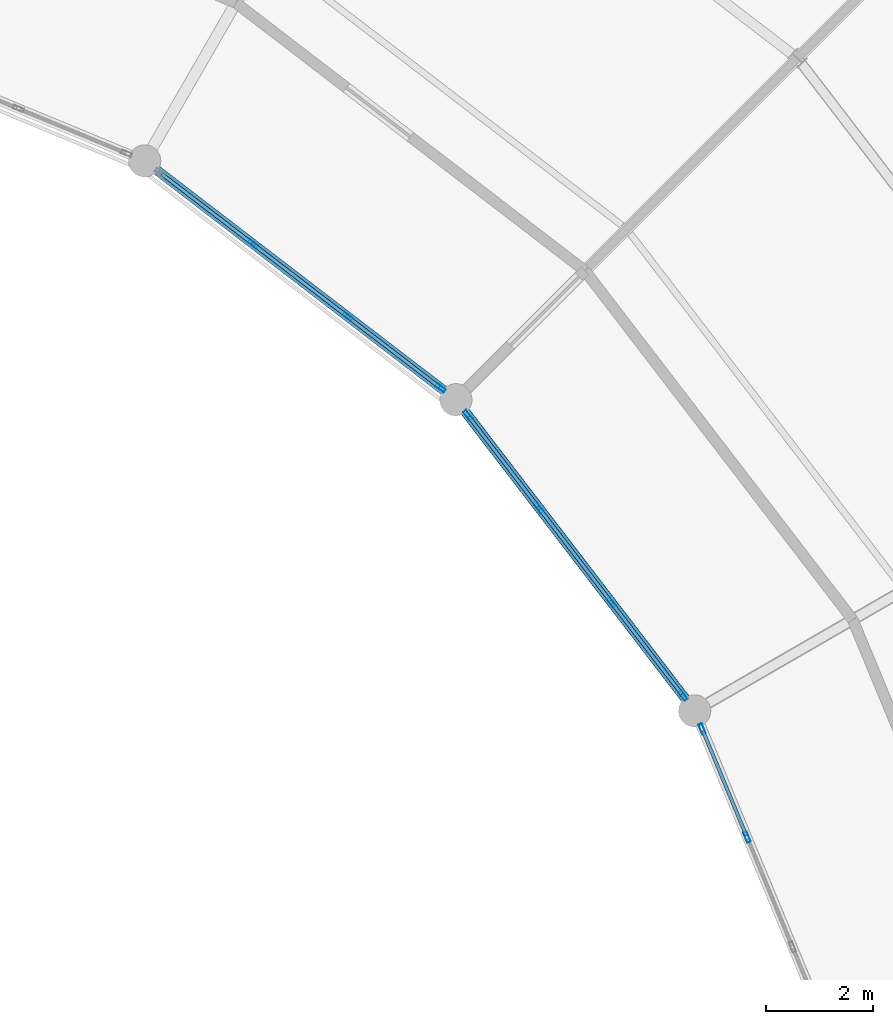
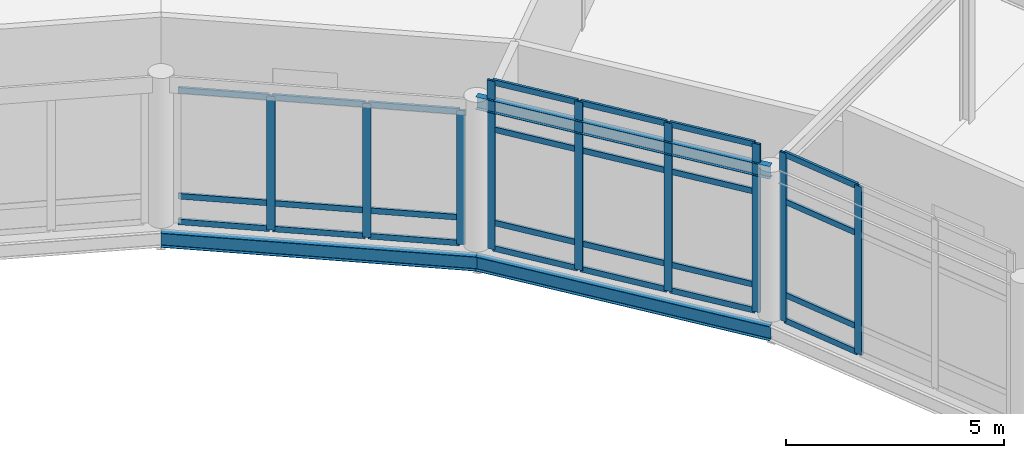
# One storey, part 79 of 185: 34 members, 3 beams, 3 elements without a shape of their own.
"""IFC4 building model written with IfcOpenShell, lengths in metres."""

from ifc_helpers import new_model, si_unit, direction, frame, origin, origin_2d, place, context, subcontext, project, spatial, hollow_rectangle, i_section, extrude, material, material_profile, profile_set, type_object, element, aggregate, save


model = new_model("IFC4")

# Units and contexts
model_context = context("Model", 3, precision=1e-05, world=origin(), true_north=direction((0.0, 1.0)))
body_context = subcontext(model_context, "Body", "Model", "MODEL_VIEW")
ifc_project = project(units=[si_unit("LENGTHUNIT", "METRE"), si_unit("AREAUNIT", "SQUARE_METRE"), si_unit("VOLUMEUNIT", "CUBIC_METRE"), si_unit("PLANEANGLEUNIT", "RADIAN"), si_unit("MASSUNIT", "GRAM", prefix="KILO")], contexts=[model_context])

# Site, building, storey
site_placement = place(None, origin())
site = spatial("IfcSite", under=ifc_project, at=site_placement, CompositionType="ELEMENT")
building_placement = place(site_placement, origin())
building = spatial("IfcBuilding", under=site, at=building_placement, Name="Vondelvale Polytechnic", CompositionType="ELEMENT")
storey_placement = place(building_placement, frame((0.0, 0.0, 9.60009765625)))
storey = spatial("IfcBuildingStorey", under=building, at=storey_placement, Name="L02", CompositionType="ELEMENT", Elevation=9.60009765625)

# Beams
ifc_material_1 = material(Name="Steel 300PLUS (fy = 300 MPa)", Category="steel")
ifc_material_profile_1 = material_profile(ifc_material_1, i_section(OverallWidth=0.1708984375, OverallDepth=0.35205078125, WebThickness=0.0068359375, FlangeThickness=0.009765625, FilletRadius=0.011474609375, at=origin_2d()), Name="360UB44.7")
ifc_profile_set_1 = profile_set([ifc_material_profile_1], Name="Steel 300PLUS (fy = 300 MPa)")
beam_type_1 = type_object("IfcBeamType", Name="BM-UB360L", PredefinedType="BEAM", material=ifc_profile_set_1)
beam_placement = place(storey_placement, frame((126.248779296875, 86.0, 4.02392578125), z_axis=(-0.608754744979, 0.793358469083, 0.0), x_axis=(-0.793358469083, -0.608754744979, 0.0)))
element("IfcBeam", 1, at=beam_placement, inside=storey, type_object=beam_type_1, Name="L02 RE B-24", PredefinedType="BEAM", context=body_context, shape_type="SweptSolid", body=[
    extrude(i_section(OverallWidth=0.1708984375, OverallDepth=0.35205078125, WebThickness=0.0068359375, FlangeThickness=0.009765625, FilletRadius=0.011474609375, at=origin_2d()), origin(), (0.0, 0.0, 1.0), 7.3095703125),
])
ifc_material_profile_2 = material_profile(ifc_material_1, i_section(OverallWidth=0.177978515625, OverallDepth=0.403076171875, WebThickness=0.007568359375, FlangeThickness=0.010986328125, FilletRadius=0.011474609375, at=origin_2d()), Name="410UB53.7")
ifc_profile_set_2 = profile_set([ifc_material_profile_2], Name="Steel 300PLUS (fy = 300 MPa)")
beam_type_2 = type_object("IfcBeamType", Name="BM-UB410L", PredefinedType="BEAM", material=ifc_profile_set_2)
for number, where, z_axis, x_axis, name in (
    (2, (126.248779296875, 86.0, -0.481689453125), (-0.608754744979, 0.793358469083, 0.0), (-0.793358469083, -0.608754744979, 0.0), "L02 RB B-23"),
    (3, (121.799072265625, 91.799072265625, -0.481689453125), (-0.793358469083, 0.608754744979, 0.0), (-0.608754744979, -0.793358469083, 0.0), "L02 RB B-23"),
):
    element("IfcBeam", number, at=place(storey_placement, frame(where, z_axis=z_axis, x_axis=x_axis)), inside=storey, type_object=beam_type_2, Name=name, PredefinedType="BEAM", context=body_context, shape_type="SweptSolid", body=[
        extrude(i_section(OverallWidth=0.177978515625, OverallDepth=0.403076171875, WebThickness=0.007568359375, FlangeThickness=0.010986328125, FilletRadius=0.011474609375, at=origin_2d()), origin(), (0.0, 0.0, 1.0), 7.3095703125),
    ])

# Curtain wall, members
ifc_material_2 = material(Name="Anodised extruded aluminium 6063-T6", Category="aluminium")
curtain_wall_type = type_object("IfcCurtainWallType", Name="CW-RING-CLOISTER", PredefinedType="NOTDEFINED", material=ifc_material_2)
curtain_wall_1_placement = place(storey_placement, origin())
curtain_wall_1 = element("IfcCurtainWall", 4, at=curtain_wall_1_placement, inside=storey, type_object=curtain_wall_type, Name="L02 architectural curtain wall CW-03-081", PredefinedType="NOTDEFINED")
ifc_material_profile_3 = material_profile(ifc_material_2, hollow_rectangle(XDim=0.070068359375, YDim=0.199951171875, WallThickness=0.00390625, at=origin_2d()), Name="CW-MUL-200x70")
ifc_profile_set_3 = profile_set([ifc_material_profile_3], Name="Anodised extruded aluminium 6063-T6")
member_type_1 = type_object("IfcMemberType", Name="CW-MUL-70x200", PredefinedType="MULLION", material=ifc_profile_set_3)
member_1_placement = place(storey_placement, frame((127.22314453125, 83.647216796875, 0.0), z_axis=(0.0, 0.0, 1.0), x_axis=(-0.923881562419, -0.382678531697, 0.0)))
member_1 = element("IfcMember", 5, at=member_1_placement, type_object=member_type_1, Name="CW-03-081 mullion 3", PredefinedType="MULLION", context=body_context, shape_type="SweptSolid", body=[
    extrude(hollow_rectangle(XDim=0.070068359375, YDim=0.199951171875, WallThickness=0.00390625, at=origin_2d()), origin(), (0.0, 0.0, 1.0), 4.713134765625),
])
member_2_placement = place(storey_placement, frame((126.388427734375, 85.662841796875, 0.0), z_axis=(0.0, 0.0, 1.0), x_axis=(-0.923881562419, -0.382678531697, 0.0)))
member_2 = element("IfcMember", 6, at=member_2_placement, type_object=member_type_1, Name="CW-03-081 mullion 4", PredefinedType="MULLION", context=body_context, shape_type="SweptSolid", body=[
    extrude(hollow_rectangle(XDim=0.070068359375, YDim=0.199951171875, WallThickness=0.00390625, at=origin_2d()), origin(), (0.0, 0.0, 1.0), 4.713134765625),
])

curtain_wall_2_placement = place(storey_placement, origin())
curtain_wall_2 = element("IfcCurtainWall", 7, at=curtain_wall_2_placement, inside=storey, type_object=curtain_wall_type, Name="L02 architectural curtain wall CW-03-093", PredefinedType="NOTDEFINED")
member_3_placement = place(storey_placement, frame((126.02734375, 86.28857421875, 0.0), z_axis=(0.0, 0.0, 1.0), x_axis=(-0.793363861089, -0.608747717793, 0.0)))
member_3 = element("IfcMember", 8, at=member_3_placement, type_object=member_type_1, Name="CW-03-093 mullion 1", PredefinedType="MULLION", context=body_context, shape_type="SweptSolid", body=[
    extrude(hollow_rectangle(XDim=0.070068359375, YDim=0.199951171875, WallThickness=0.00390625, at=origin_2d()), origin(), (0.0, 0.0, 1.0), 4.713134765625),
])
member_4_placement = place(storey_placement, frame((124.69873046875, 88.02001953125, 0.0), z_axis=(0.0, 0.0, 1.0), x_axis=(-0.793363861089, -0.608747717793, 0.0)))
member_4 = element("IfcMember", 9, at=member_4_placement, type_object=member_type_1, Name="CW-03-093 mullion 2", PredefinedType="MULLION", context=body_context, shape_type="SweptSolid", body=[
    extrude(hollow_rectangle(XDim=0.070068359375, YDim=0.199951171875, WallThickness=0.00390625, at=origin_2d()), origin(), (0.0, 0.0, 1.0), 4.713134765625),
])
member_5_placement = place(storey_placement, frame((123.348876953125, 89.779052734375, 0.0), z_axis=(0.0, 0.0, 1.0), x_axis=(-0.793363861089, -0.608747717793, 0.0)))
member_5 = element("IfcMember", 10, at=member_5_placement, type_object=member_type_1, Name="CW-03-093 mullion 3", PredefinedType="MULLION", context=body_context, shape_type="SweptSolid", body=[
    extrude(hollow_rectangle(XDim=0.070068359375, YDim=0.199951171875, WallThickness=0.00390625, at=origin_2d()), origin(), (0.0, 0.0, 1.0), 4.713134765625),
])
member_6_placement = place(storey_placement, frame((122.0205078125, 91.510498046875, 0.0), z_axis=(0.0, 0.0, 1.0), x_axis=(-0.793363861089, -0.608747717793, 0.0)))
member_6 = element("IfcMember", 11, at=member_6_placement, type_object=member_type_1, Name="CW-03-093 mullion 4", PredefinedType="MULLION", context=body_context, shape_type="SweptSolid", body=[
    extrude(hollow_rectangle(XDim=0.070068359375, YDim=0.199951171875, WallThickness=0.00390625, at=origin_2d()), origin(), (0.0, 0.0, 1.0), 4.713134765625),
])

curtain_wall_3_placement = place(storey_placement, origin())
curtain_wall_3 = element("IfcCurtainWall", 12, at=curtain_wall_3_placement, inside=storey, type_object=curtain_wall_type, Name="L02 architectural curtain wall CW-03-104", PredefinedType="NOTDEFINED")
member_7_placement = place(storey_placement, frame((121.510498046875, 92.0205078125, 0.0), z_axis=(0.0, 0.0, 1.0), x_axis=(-0.608747717793, -0.793363861089, 0.0)))
member_7 = element("IfcMember", 13, at=member_7_placement, type_object=member_type_1, Name="CW-03-104 mullion 1", PredefinedType="MULLION", context=body_context, shape_type="SweptSolid", body=[
    extrude(hollow_rectangle(XDim=0.070068359375, YDim=0.199951171875, WallThickness=0.00390625, at=origin_2d()), origin(), (0.0, 0.0, 1.0), 3.75),
])
member_8_placement = place(storey_placement, frame((119.779052734375, 93.348876953125, 0.0), z_axis=(0.0, 0.0, 1.0), x_axis=(-0.608747717793, -0.793363861089, 0.0)))
member_8 = element("IfcMember", 14, at=member_8_placement, type_object=member_type_1, Name="CW-03-104 mullion 2", PredefinedType="MULLION", context=body_context, shape_type="SweptSolid", body=[
    extrude(hollow_rectangle(XDim=0.070068359375, YDim=0.199951171875, WallThickness=0.00390625, at=origin_2d()), origin(), (0.0, 0.0, 1.0), 3.75),
])
member_9_placement = place(storey_placement, frame((118.02001953125, 94.69873046875, 0.0), z_axis=(0.0, 0.0, 1.0), x_axis=(-0.608747717793, -0.793363861089, 0.0)))
member_9 = element("IfcMember", 15, at=member_9_placement, type_object=member_type_1, Name="CW-03-104 mullion 3", PredefinedType="MULLION", context=body_context, shape_type="SweptSolid", body=[
    extrude(hollow_rectangle(XDim=0.070068359375, YDim=0.199951171875, WallThickness=0.00390625, at=origin_2d()), origin(), (0.0, 0.0, 1.0), 3.75),
])

# Member
ifc_material_profile_4 = material_profile(ifc_material_2, hollow_rectangle(XDim=0.06494140625, YDim=0.159912109375, WallThickness=0.00341796875, at=origin_2d()), Name="CW-TRN-160x65")
ifc_profile_set_4 = profile_set([ifc_material_profile_4], Name="Anodised extruded aluminium 6063-T6")
member_type_2 = type_object("IfcMemberType", Name="CW-TRN-70x160", PredefinedType="USERDEFINED", material=ifc_profile_set_4)
member_10_placement = place(storey_placement, frame((127.209716796875, 83.6796875, 0.032470703125), z_axis=(-0.382627532503, 0.923902685011, 0.0), x_axis=(-0.923902685011, -0.382627532503, 0.0)))
member_10 = element("IfcMember", 16, at=member_10_placement, type_object=member_type_2, Name="CW-03-081 transom 3.1", ObjectType="TRANSOM", PredefinedType="USERDEFINED", context=body_context, shape_type="SweptSolid", body=[
    extrude(hollow_rectangle(XDim=0.06494140625, YDim=0.159912109375, WallThickness=0.00341796875, at=origin_2d()), origin(), (0.0, 0.0, 1.0), 2.111328125),
])

member_11_placement = place(storey_placement, frame((127.209716796875, 83.6796875, 0.75), z_axis=(-0.382627532503, 0.923902685011, 0.0), x_axis=(-0.923902685011, -0.382627532503, 0.0)))
member_11 = element("IfcMember", 17, at=member_11_placement, type_object=member_type_2, Name="CW-03-081 transom 3.2", ObjectType="TRANSOM", PredefinedType="USERDEFINED", context=body_context, shape_type="SweptSolid", body=[
    extrude(hollow_rectangle(XDim=0.06494140625, YDim=0.159912109375, WallThickness=0.00341796875, at=origin_2d()), origin(), (0.0, 0.0, 1.0), 2.111328125),
])

member_12_placement = place(storey_placement, frame((127.209716796875, 83.6796875, 3.363037109375), z_axis=(-0.382627532503, 0.923902685011, 0.0), x_axis=(-0.923902685011, -0.382627532503, 0.0)))
member_12 = element("IfcMember", 18, at=member_12_placement, type_object=member_type_2, Name="CW-03-081 transom 3.3", ObjectType="TRANSOM", PredefinedType="USERDEFINED", context=body_context, shape_type="SweptSolid", body=[
    extrude(hollow_rectangle(XDim=0.06494140625, YDim=0.159912109375, WallThickness=0.00341796875, at=origin_2d()), origin(), (0.0, 0.0, 1.0), 2.111328125),
])

member_13_placement = place(storey_placement, frame((127.209716796875, 83.6796875, 4.6806640625), z_axis=(-0.382627532503, 0.923902685011, 0.0), x_axis=(-0.923902685011, -0.382627532503, 0.0)))
member_13 = element("IfcMember", 19, at=member_13_placement, type_object=member_type_2, Name="CW-03-081 transom 3.4", ObjectType="TRANSOM", PredefinedType="USERDEFINED", context=body_context, shape_type="SweptSolid", body=[
    extrude(hollow_rectangle(XDim=0.06494140625, YDim=0.159912109375, WallThickness=0.00341796875, at=origin_2d()), origin(), (0.0, 0.0, 1.0), 2.111328125),
])

aggregate(curtain_wall_1, [member_1, member_2, member_10, member_11, member_12, member_13])

member_14_placement = place(storey_placement, frame((126.006103515625, 86.316162109375, 0.032470703125), z_axis=(-0.608783266169, 0.793336583571, 0.0), x_axis=(-0.793336583571, -0.608783266169, 0.0)))
member_14 = element("IfcMember", 20, at=member_14_placement, type_object=member_type_2, Name="CW-03-093 transom 1.1", ObjectType="TRANSOM", PredefinedType="USERDEFINED", context=body_context, shape_type="SweptSolid", body=[
    extrude(hollow_rectangle(XDim=0.06494140625, YDim=0.159912109375, WallThickness=0.00341796875, at=origin_2d()), origin(), (0.0, 0.0, 1.0), 2.112548828125),
])

member_15_placement = place(storey_placement, frame((126.006103515625, 86.316162109375, 0.75), z_axis=(-0.608783266169, 0.793336583571, 0.0), x_axis=(-0.793336583571, -0.608783266169, 0.0)))
member_15 = element("IfcMember", 21, at=member_15_placement, type_object=member_type_2, Name="CW-03-093 transom 1.2", ObjectType="TRANSOM", PredefinedType="USERDEFINED", context=body_context, shape_type="SweptSolid", body=[
    extrude(hollow_rectangle(XDim=0.06494140625, YDim=0.159912109375, WallThickness=0.00341796875, at=origin_2d()), origin(), (0.0, 0.0, 1.0), 2.112548828125),
])

member_16_placement = place(storey_placement, frame((126.006103515625, 86.316162109375, 3.363037109375), z_axis=(-0.608783266169, 0.793336583571, 0.0), x_axis=(-0.793336583571, -0.608783266169, 0.0)))
member_16 = element("IfcMember", 22, at=member_16_placement, type_object=member_type_2, Name="CW-03-093 transom 1.3", ObjectType="TRANSOM", PredefinedType="USERDEFINED", context=body_context, shape_type="SweptSolid", body=[
    extrude(hollow_rectangle(XDim=0.06494140625, YDim=0.159912109375, WallThickness=0.00341796875, at=origin_2d()), origin(), (0.0, 0.0, 1.0), 2.112548828125),
])

member_17_placement = place(storey_placement, frame((126.006103515625, 86.316162109375, 4.6806640625), z_axis=(-0.608783266169, 0.793336583571, 0.0), x_axis=(-0.793336583571, -0.608783266169, 0.0)))
member_17 = element("IfcMember", 23, at=member_17_placement, type_object=member_type_2, Name="CW-03-093 transom 1.4", ObjectType="TRANSOM", PredefinedType="USERDEFINED", context=body_context, shape_type="SweptSolid", body=[
    extrude(hollow_rectangle(XDim=0.06494140625, YDim=0.159912109375, WallThickness=0.00341796875, at=origin_2d()), origin(), (0.0, 0.0, 1.0), 2.112548828125),
])

member_18_placement = place(storey_placement, frame((124.677490234375, 88.047607421875, 0.032470703125), z_axis=(-0.608732251269, 0.793375728306, 0.0), x_axis=(-0.793375728306, -0.608732251269, 0.0)))
member_18 = element("IfcMember", 24, at=member_18_placement, type_object=member_type_2, Name="CW-03-093 transom 2.1", ObjectType="TRANSOM", PredefinedType="USERDEFINED", context=body_context, shape_type="SweptSolid", body=[
    extrude(hollow_rectangle(XDim=0.06494140625, YDim=0.159912109375, WallThickness=0.00341796875, at=origin_2d()), origin(), (0.0, 0.0, 1.0), 2.147216796875),
])

member_19_placement = place(storey_placement, frame((124.677490234375, 88.047607421875, 0.75), z_axis=(-0.608732251269, 0.793375728306, 0.0), x_axis=(-0.793375728306, -0.608732251269, 0.0)))
member_19 = element("IfcMember", 25, at=member_19_placement, type_object=member_type_2, Name="CW-03-093 transom 2.2", ObjectType="TRANSOM", PredefinedType="USERDEFINED", context=body_context, shape_type="SweptSolid", body=[
    extrude(hollow_rectangle(XDim=0.06494140625, YDim=0.159912109375, WallThickness=0.00341796875, at=origin_2d()), origin(), (0.0, 0.0, 1.0), 2.147216796875),
])

member_20_placement = place(storey_placement, frame((124.677490234375, 88.047607421875, 3.363037109375), z_axis=(-0.608732251269, 0.793375728306, 0.0), x_axis=(-0.793375728306, -0.608732251269, 0.0)))
member_20 = element("IfcMember", 26, at=member_20_placement, type_object=member_type_2, Name="CW-03-093 transom 2.3", ObjectType="TRANSOM", PredefinedType="USERDEFINED", context=body_context, shape_type="SweptSolid", body=[
    extrude(hollow_rectangle(XDim=0.06494140625, YDim=0.159912109375, WallThickness=0.00341796875, at=origin_2d()), origin(), (0.0, 0.0, 1.0), 2.147216796875),
])

member_21_placement = place(storey_placement, frame((124.677490234375, 88.047607421875, 4.6806640625), z_axis=(-0.608732251269, 0.793375728306, 0.0), x_axis=(-0.793375728306, -0.608732251269, 0.0)))
member_21 = element("IfcMember", 27, at=member_21_placement, type_object=member_type_2, Name="CW-03-093 transom 2.4", ObjectType="TRANSOM", PredefinedType="USERDEFINED", context=body_context, shape_type="SweptSolid", body=[
    extrude(hollow_rectangle(XDim=0.06494140625, YDim=0.159912109375, WallThickness=0.00341796875, at=origin_2d()), origin(), (0.0, 0.0, 1.0), 2.147216796875),
])

member_22_placement = place(storey_placement, frame((123.32763671875, 89.806884765625, 0.032470703125), z_axis=(-0.608766343448, 0.793349569285, 0.0), x_axis=(-0.793349569285, -0.608766343448, 0.0)))
member_22 = element("IfcMember", 28, at=member_22_placement, type_object=member_type_2, Name="CW-03-093 transom 3.1", ObjectType="TRANSOM", PredefinedType="USERDEFINED", context=body_context, shape_type="SweptSolid", body=[
    extrude(hollow_rectangle(XDim=0.06494140625, YDim=0.159912109375, WallThickness=0.00341796875, at=origin_2d()), origin(), (0.0, 0.0, 1.0), 2.1123046875),
])

member_23_placement = place(storey_placement, frame((123.32763671875, 89.806884765625, 0.75), z_axis=(-0.608766343448, 0.793349569285, 0.0), x_axis=(-0.793349569285, -0.608766343448, 0.0)))
member_23 = element("IfcMember", 29, at=member_23_placement, type_object=member_type_2, Name="CW-03-093 transom 3.2", ObjectType="TRANSOM", PredefinedType="USERDEFINED", context=body_context, shape_type="SweptSolid", body=[
    extrude(hollow_rectangle(XDim=0.06494140625, YDim=0.159912109375, WallThickness=0.00341796875, at=origin_2d()), origin(), (0.0, 0.0, 1.0), 2.1123046875),
])

member_24_placement = place(storey_placement, frame((123.32763671875, 89.806884765625, 3.363037109375), z_axis=(-0.608766343448, 0.793349569285, 0.0), x_axis=(-0.793349569285, -0.608766343448, 0.0)))
member_24 = element("IfcMember", 30, at=member_24_placement, type_object=member_type_2, Name="CW-03-093 transom 3.3", ObjectType="TRANSOM", PredefinedType="USERDEFINED", context=body_context, shape_type="SweptSolid", body=[
    extrude(hollow_rectangle(XDim=0.06494140625, YDim=0.159912109375, WallThickness=0.00341796875, at=origin_2d()), origin(), (0.0, 0.0, 1.0), 2.1123046875),
])

member_25_placement = place(storey_placement, frame((123.32763671875, 89.806884765625, 4.6806640625), z_axis=(-0.608766343448, 0.793349569285, 0.0), x_axis=(-0.793349569285, -0.608766343448, 0.0)))
member_25 = element("IfcMember", 31, at=member_25_placement, type_object=member_type_2, Name="CW-03-093 transom 3.4", ObjectType="TRANSOM", PredefinedType="USERDEFINED", context=body_context, shape_type="SweptSolid", body=[
    extrude(hollow_rectangle(XDim=0.06494140625, YDim=0.159912109375, WallThickness=0.00341796875, at=origin_2d()), origin(), (0.0, 0.0, 1.0), 2.1123046875),
])

aggregate(curtain_wall_2, [member_3, member_4, member_5, member_6, member_14, member_15, member_16, member_17, member_18, member_19, member_20, member_21, member_22, member_23, member_24, member_25])

member_26_placement = place(storey_placement, frame((121.482666015625, 92.041748046875, 0.032470703125), z_axis=(-0.793349569285, 0.608766343448, 0.0), x_axis=(-0.608766343448, -0.793349569285, 0.0)))
member_26 = element("IfcMember", 32, at=member_26_placement, type_object=member_type_2, Name="CW-03-104 transom 1.1", ObjectType="TRANSOM", PredefinedType="USERDEFINED", context=body_context, shape_type="SweptSolid", body=[
    extrude(hollow_rectangle(XDim=0.06494140625, YDim=0.159912109375, WallThickness=0.00341796875, at=origin_2d()), origin(), (0.0, 0.0, 1.0), 2.1123046875),
])

member_27_placement = place(storey_placement, frame((121.482666015625, 92.041748046875, 0.75), z_axis=(-0.793349569285, 0.608766343448, 0.0), x_axis=(-0.608766343448, -0.793349569285, 0.0)))
member_27 = element("IfcMember", 33, at=member_27_placement, type_object=member_type_2, Name="CW-03-104 transom 1.2", ObjectType="TRANSOM", PredefinedType="USERDEFINED", context=body_context, shape_type="SweptSolid", body=[
    extrude(hollow_rectangle(XDim=0.06494140625, YDim=0.159912109375, WallThickness=0.00341796875, at=origin_2d()), origin(), (0.0, 0.0, 1.0), 2.1123046875),
])

member_28_placement = place(storey_placement, frame((121.482666015625, 92.041748046875, 3.71728515625), z_axis=(-0.793349569285, 0.608766343448, 0.0), x_axis=(-0.608766343448, -0.793349569285, 0.0)))
member_28 = element("IfcMember", 34, at=member_28_placement, type_object=member_type_2, Name="CW-03-104 transom 1.3", ObjectType="TRANSOM", PredefinedType="USERDEFINED", context=body_context, shape_type="SweptSolid", body=[
    extrude(hollow_rectangle(XDim=0.06494140625, YDim=0.159912109375, WallThickness=0.00341796875, at=origin_2d()), origin(), (0.0, 0.0, 1.0), 2.1123046875),
])

member_29_placement = place(storey_placement, frame((119.751220703125, 93.370361328125, 0.032470703125), z_axis=(-0.793375728306, 0.608732251269, 0.0), x_axis=(-0.608732251269, -0.793375728306, 0.0)))
member_29 = element("IfcMember", 35, at=member_29_placement, type_object=member_type_2, Name="CW-03-104 transom 2.1", ObjectType="TRANSOM", PredefinedType="USERDEFINED", context=body_context, shape_type="SweptSolid", body=[
    extrude(hollow_rectangle(XDim=0.06494140625, YDim=0.159912109375, WallThickness=0.00341796875, at=origin_2d()), origin(), (0.0, 0.0, 1.0), 2.147216796875),
])

member_30_placement = place(storey_placement, frame((119.751220703125, 93.370361328125, 0.75), z_axis=(-0.793375728306, 0.608732251269, 0.0), x_axis=(-0.608732251269, -0.793375728306, 0.0)))
member_30 = element("IfcMember", 36, at=member_30_placement, type_object=member_type_2, Name="CW-03-104 transom 2.2", ObjectType="TRANSOM", PredefinedType="USERDEFINED", context=body_context, shape_type="SweptSolid", body=[
    extrude(hollow_rectangle(XDim=0.06494140625, YDim=0.159912109375, WallThickness=0.00341796875, at=origin_2d()), origin(), (0.0, 0.0, 1.0), 2.147216796875),
])

member_31_placement = place(storey_placement, frame((119.751220703125, 93.370361328125, 3.71728515625), z_axis=(-0.793375728306, 0.608732251269, 0.0), x_axis=(-0.608732251269, -0.793375728306, 0.0)))
member_31 = element("IfcMember", 37, at=member_31_placement, type_object=member_type_2, Name="CW-03-104 transom 2.3", ObjectType="TRANSOM", PredefinedType="USERDEFINED", context=body_context, shape_type="SweptSolid", body=[
    extrude(hollow_rectangle(XDim=0.06494140625, YDim=0.159912109375, WallThickness=0.00341796875, at=origin_2d()), origin(), (0.0, 0.0, 1.0), 2.147216796875),
])

member_32_placement = place(storey_placement, frame((117.9921875, 94.719970703125, 0.032470703125), z_axis=(-0.793336583571, 0.608783266169, 0.0), x_axis=(-0.608783266169, -0.793336583571, 0.0)))
member_32 = element("IfcMember", 38, at=member_32_placement, type_object=member_type_2, Name="CW-03-104 transom 3.1", ObjectType="TRANSOM", PredefinedType="USERDEFINED", context=body_context, shape_type="SweptSolid", body=[
    extrude(hollow_rectangle(XDim=0.06494140625, YDim=0.159912109375, WallThickness=0.00341796875, at=origin_2d()), origin(), (0.0, 0.0, 1.0), 2.112548828125),
])

member_33_placement = place(storey_placement, frame((117.9921875, 94.719970703125, 0.75), z_axis=(-0.793336583571, 0.608783266169, 0.0), x_axis=(-0.608783266169, -0.793336583571, 0.0)))
member_33 = element("IfcMember", 39, at=member_33_placement, type_object=member_type_2, Name="CW-03-104 transom 3.2", ObjectType="TRANSOM", PredefinedType="USERDEFINED", context=body_context, shape_type="SweptSolid", body=[
    extrude(hollow_rectangle(XDim=0.06494140625, YDim=0.159912109375, WallThickness=0.00341796875, at=origin_2d()), origin(), (0.0, 0.0, 1.0), 2.112548828125),
])

member_34_placement = place(storey_placement, frame((117.9921875, 94.719970703125, 3.71728515625), z_axis=(-0.793336583571, 0.608783266169, 0.0), x_axis=(-0.608783266169, -0.793336583571, 0.0)))
member_34 = element("IfcMember", 40, at=member_34_placement, type_object=member_type_2, Name="CW-03-104 transom 3.3", ObjectType="TRANSOM", PredefinedType="USERDEFINED", context=body_context, shape_type="SweptSolid", body=[
    extrude(hollow_rectangle(XDim=0.06494140625, YDim=0.159912109375, WallThickness=0.00341796875, at=origin_2d()), origin(), (0.0, 0.0, 1.0), 2.112548828125),
])

aggregate(curtain_wall_3, [member_7, member_8, member_9, member_26, member_27, member_28, member_29, member_30, member_31, member_32, member_33, member_34])

save(model, "model.ifc")
